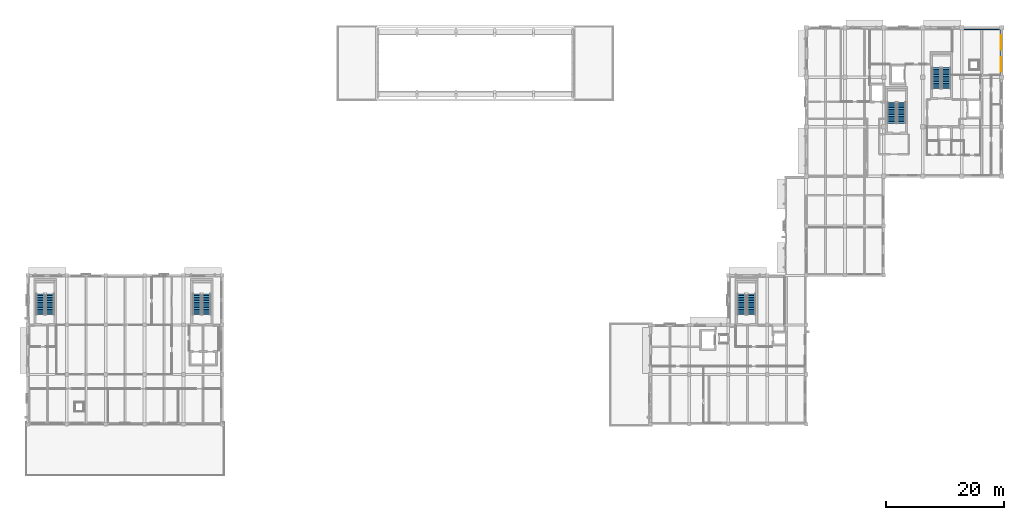
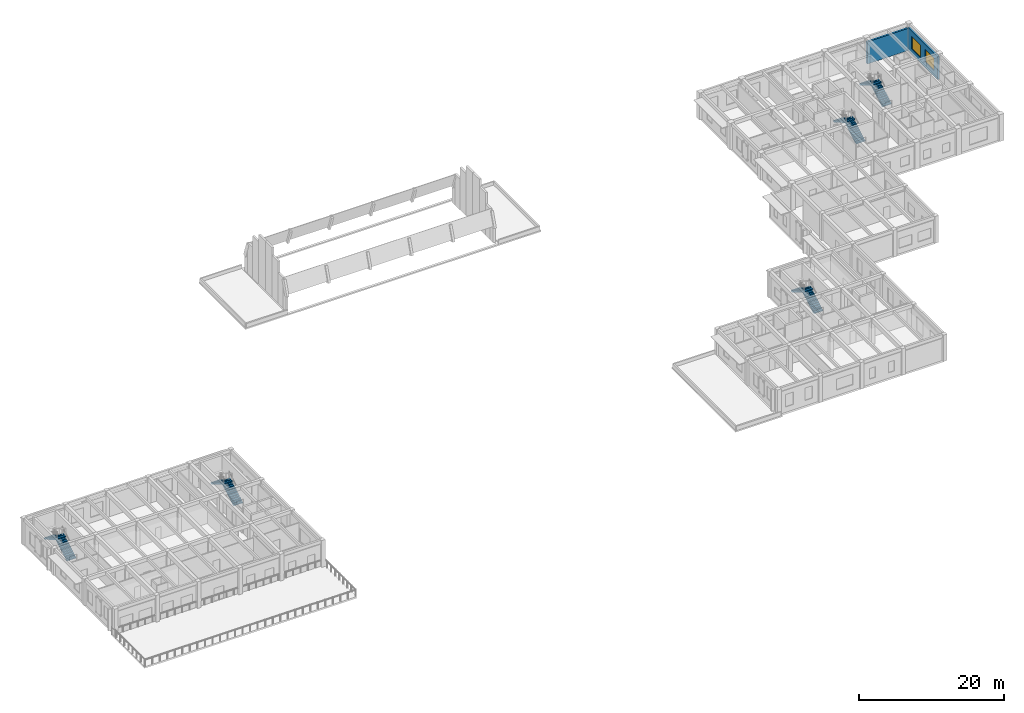
# One storey, part 15 of 25: 10 stair flights, 2 walls, 2 windows, 2 openings, 5 elements without a shape of their own.
"""IFC4 building model written with IfcOpenShell, lengths in metres."""

from ifc_helpers import new_model, si_unit, direction, frame, frame_2d, origin, place, context, subcontext, project, spatial, polyline, rectangle, outline, extrude, material, layer, layer_set, type_object, element, fill, aggregate, save


model = new_model("IFC4")

# Units and contexts
model_context = context("Model", 3, precision=1e-05, world=origin(), true_north=direction((0.0, 1.0)))
body_context = subcontext(model_context, "Body", "Model", "MODEL_VIEW")
ifc_project = project(units=[si_unit("LENGTHUNIT", "METRE"), si_unit("AREAUNIT", "SQUARE_METRE"), si_unit("VOLUMEUNIT", "CUBIC_METRE"), si_unit("PLANEANGLEUNIT", "RADIAN"), si_unit("MASSUNIT", "GRAM", prefix="KILO")], contexts=[model_context])

# Site, building, storey
site_placement = place(None, origin())
site = spatial("IfcSite", under=ifc_project, at=site_placement, CompositionType="ELEMENT")
building_placement = place(site_placement, origin())
building = spatial("IfcBuilding", under=site, at=building_placement, Name="Kolvaren Faculty of Natural Sciences", CompositionType="ELEMENT")
storey_placement = place(building_placement, frame((0.0, 0.0, 19.5)))
storey = spatial("IfcBuildingStorey", under=building, at=storey_placement, Name="L04", CompositionType="ELEMENT", Elevation=19.5)

# Wall
ifc_material_1 = material(Name="Sandstone-faced insulated cavity masonry", Category="masonry")
ifc_layer = layer(ifc_material_1, 0.300048828125)
ifc_layer_set = layer_set([ifc_layer], Name="Sandstone-faced insulated cavity masonry")
wall_type = type_object("IfcWallType", Name="ExteriorCavityWall_300", PredefinedType="STANDARD", material=ifc_layer_set)
wall_1_placement = place(storey_placement, frame((165.199951171875, 84.050048828125, 0.0), z_axis=(0.0, 0.0, 1.0), x_axis=(1.0, 0.0, 0.0)))
element("IfcWall", 1, at=wall_1_placement, inside=storey, type_object=wall_type, Name="L04 exterior masonry wall EW-300 (610)", PredefinedType="STANDARD", context=body_context, shape_type="SweptSolid", body=[
    extrude(rectangle(XDim=6.800048828125, YDim=0.300048828125, at=frame_2d((3.39990234375, 0.0))), origin(), (0.0, 0.0, 1.0), 3.735107421875),
])

# Wall, openings, windows
wall_2_placement = place(storey_placement, frame((171.85009765625, 83.89990234375, 0.0), z_axis=(0.0, 0.0, 1.0), x_axis=(0.0, -1.0, 0.0)))
wall_2 = element("IfcWall", 2, at=wall_2_placement, inside=storey, type_object=wall_type, Name="L04 exterior masonry wall EW-300 (611)", PredefinedType="STANDARD", context=body_context, shape_type="SweptSolid", body=[
    extrude(rectangle(XDim=8.099853515625, YDim=0.300048828125, at=frame_2d((4.0498046875, 0.0))), origin(), (0.0, 0.0, 1.0), 3.885009765625),
])
opening_1_placement = place(wall_2_placement, frame((0.987060546875, 0.0, 0.89990234375)))
opening_1 = element("IfcOpeningElement", 3, at=opening_1_placement, cuts=wall_2, Name="Opening WIN-09", PredefinedType="OPENING", context=body_context, shape_type="SweptSolid", body=[
    extrude(rectangle(XDim=2.39990234375, YDim=2.10009765625, at=frame_2d((1.199951171875, 1.050048828125))), frame((0.0, 0.159912109375, 0.0), z_axis=(0.0, -1.0, 0.0), x_axis=(1.0, 0.0, 0.0)), (0.0, 0.0, 1.0), 0.320068359375),
])
opening_2_placement = place(wall_2_placement, frame((4.712890625, 0.0, 0.89990234375)))
opening_2 = element("IfcOpeningElement", 4, at=opening_2_placement, cuts=wall_2, Name="Opening WIN-09", PredefinedType="OPENING", context=body_context, shape_type="SweptSolid", body=[
    extrude(rectangle(XDim=2.39990234375, YDim=2.10009765625, at=frame_2d((1.199951171875, 1.050048828125))), frame((0.0, 0.159912109375, 0.0), z_axis=(0.0, -1.0, 0.0), x_axis=(1.0, 0.0, 0.0)), (0.0, 0.0, 1.0), 0.320068359375),
])
ifc_material_2 = material(Name="Double low-E solar control insulated glazing", Category="glass")
window_type = type_object("IfcWindowType", Name="AluWindow_WIN09_2400x2100", PartitioningType="SINGLE_PANEL", PredefinedType="WINDOW", material=ifc_material_2)
window_1_placement = place(opening_1_placement, origin())
window_1 = element("IfcWindow", 5, at=window_1_placement, inside=storey, type_object=window_type, Name="WIN-L04-0400", OverallHeight=2.10009765625, OverallWidth=2.39990234375, PartitioningType="SINGLE_PANEL", PredefinedType="WINDOW", context=body_context, shape_type="SweptSolid", body=[
    extrude(rectangle(XDim=2.39990234375, YDim=2.10009765625, at=frame_2d((1.199951171875, 1.050048828125))), frame((0.0, 0.030029296875, 0.0), z_axis=(0.0, -1.0, 0.0), x_axis=(1.0, 0.0, 0.0)), (0.0, 0.0, 1.0), 0.06005859375),
])
fill(opening_1, window_1)
window_2_placement = place(opening_2_placement, origin())
window_2 = element("IfcWindow", 6, at=window_2_placement, inside=storey, type_object=window_type, Name="WIN-L04-0401", OverallHeight=2.10009765625, OverallWidth=2.39990234375, PartitioningType="SINGLE_PANEL", PredefinedType="WINDOW", context=body_context, shape_type="SweptSolid", body=[
    extrude(rectangle(XDim=2.39990234375, YDim=2.10009765625, at=frame_2d((1.199951171875, 1.050048828125))), frame((0.0, 0.030029296875, 0.0), z_axis=(0.0, -1.0, 0.0), x_axis=(1.0, 0.0, 0.0)), (0.0, 0.0, 1.0), 0.06005859375),
])
fill(opening_2, window_2)

# Stair, stair flights
ifc_material_3 = material(Name="Concrete C35/45", Category="concrete")
stair_type = type_object("IfcStairType", Name="DoglegStair_H4500", PredefinedType="HALF_TURN_STAIR", material=ifc_material_3)
stair_1_placement = place(storey_placement, origin())
stair_1 = element("IfcStair", 7, at=stair_1_placement, inside=storey, type_object=stair_type, Name="L04 Protected exit stair ST-1", PredefinedType="HALF_TURN_STAIR")
stair_flight_type = type_object("IfcStairFlightType", Name="StairFlight_R1731", PredefinedType="STRAIGHT", material=ifc_material_3)
stair_flight_1_placement = place(storey_placement, frame((162.574951171875, 73.89990234375, 0.0), z_axis=(0.0, 0.0, 1.0), x_axis=(0.0, 1.0, 0.0)))
stair_flight_1 = element("IfcStairFlight", 8, at=stair_flight_1_placement, type_object=stair_flight_type, Name="ST-1 flight 1", NumberOfRisers=13, NumberOfTreads=12, PredefinedType="STRAIGHT", RiserHeight=0.173076923, TreadLength=0.295, context=body_context, shape_type="SweptSolid", body=[
    extrude(outline(polyline([(0.0, 0.0), (0.0, 0.173095703125), (0.294921875, 0.173095703125), (0.294921875, 0.34619140625), (0.590087890625, 0.34619140625), (0.590087890625, 0.519287109375), (0.885009765625, 0.519287109375), (0.885009765625, 0.6923828125), (1.179931640625, 0.6923828125), (1.179931640625, 0.865478515625), (1.47509765625, 0.865478515625), (1.47509765625, 1.03857421875), (1.77001953125, 1.03857421875), (1.77001953125, 1.21142578125), (2.06494140625, 1.21142578125), (2.06494140625, 1.384521484375), (2.360107421875, 1.384521484375), (2.360107421875, 1.5576171875), (2.655029296875, 1.5576171875), (2.655029296875, 1.730712890625), (2.949951171875, 1.730712890625), (2.949951171875, 1.90380859375), (3.2451171875, 1.90380859375), (3.2451171875, 2.076904296875), (3.5400390625, 2.076904296875), (3.5400390625, 2.25), (3.5400390625, 1.903076171875), (0.296142578125, 0.0), (0.0, 0.0)])), frame((0.0, 0.72509765625, 0.0), z_axis=(0.0, -1.0, 0.0), x_axis=(1.0, 0.0, 0.0)), (0.0, 0.0, 1.0), 1.449951171875),
])
stair_flight_2_placement = place(storey_placement, frame((160.925048828125, 77.43994140625, 2.25), z_axis=(0.0, 0.0, 1.0), x_axis=(0.0, -1.0, 0.0)))
stair_flight_2 = element("IfcStairFlight", 9, at=stair_flight_2_placement, type_object=stair_flight_type, Name="ST-1 flight 2", NumberOfRisers=13, NumberOfTreads=12, PredefinedType="STRAIGHT", RiserHeight=0.173076923, TreadLength=0.295, context=body_context, shape_type="SweptSolid", body=[
    extrude(outline(polyline([(0.0, 0.0), (0.0, 0.173095703125), (0.294921875, 0.173095703125), (0.294921875, 0.34619140625), (0.590087890625, 0.34619140625), (0.590087890625, 0.519287109375), (0.885009765625, 0.519287109375), (0.885009765625, 0.6923828125), (1.179931640625, 0.6923828125), (1.179931640625, 0.865478515625), (1.47509765625, 0.865478515625), (1.47509765625, 1.03857421875), (1.77001953125, 1.03857421875), (1.77001953125, 1.21142578125), (2.06494140625, 1.21142578125), (2.06494140625, 1.384521484375), (2.360107421875, 1.384521484375), (2.360107421875, 1.5576171875), (2.655029296875, 1.5576171875), (2.655029296875, 1.730712890625), (2.949951171875, 1.730712890625), (2.949951171875, 1.90380859375), (3.2451171875, 1.90380859375), (3.2451171875, 2.076904296875), (3.5400390625, 2.076904296875), (3.5400390625, 2.25), (3.5400390625, 1.903076171875), (0.296142578125, 0.0), (0.0, 0.0)])), frame((0.0, 0.72509765625, 0.0), z_axis=(0.0, -1.0, 0.0), x_axis=(1.0, 0.0, 0.0)), (0.0, 0.0, 1.0), 1.449951171875),
])
aggregate(stair_1, [stair_flight_1, stair_flight_2])

stair_2_placement = place(storey_placement, origin())
stair_2 = element("IfcStair", 10, at=stair_2_placement, inside=storey, type_object=stair_type, Name="L04 Protected exit stair ST-2", PredefinedType="HALF_TURN_STAIR")
stair_flight_3_placement = place(storey_placement, frame((154.97509765625, 68.0, 0.0), z_axis=(0.0, 0.0, 1.0), x_axis=(0.0, 1.0, 0.0)))
stair_flight_3 = element("IfcStairFlight", 11, at=stair_flight_3_placement, type_object=stair_flight_type, Name="ST-2 flight 1", NumberOfRisers=13, NumberOfTreads=12, PredefinedType="STRAIGHT", RiserHeight=0.173076923, TreadLength=0.295, context=body_context, shape_type="SweptSolid", body=[
    extrude(outline(polyline([(0.0, 0.0), (0.0, 0.173095703125), (0.294921875, 0.173095703125), (0.294921875, 0.34619140625), (0.590087890625, 0.34619140625), (0.590087890625, 0.519287109375), (0.885009765625, 0.519287109375), (0.885009765625, 0.6923828125), (1.179931640625, 0.6923828125), (1.179931640625, 0.865478515625), (1.47509765625, 0.865478515625), (1.47509765625, 1.03857421875), (1.77001953125, 1.03857421875), (1.77001953125, 1.21142578125), (2.06494140625, 1.21142578125), (2.06494140625, 1.384521484375), (2.360107421875, 1.384521484375), (2.360107421875, 1.5576171875), (2.655029296875, 1.5576171875), (2.655029296875, 1.730712890625), (2.949951171875, 1.730712890625), (2.949951171875, 1.90380859375), (3.2451171875, 1.90380859375), (3.2451171875, 2.076904296875), (3.5400390625, 2.076904296875), (3.5400390625, 2.25), (3.5400390625, 1.903076171875), (0.296142578125, 0.0), (0.0, 0.0)])), frame((0.0, 0.72509765625, 0.0), z_axis=(0.0, -1.0, 0.0), x_axis=(1.0, 0.0, 0.0)), (0.0, 0.0, 1.0), 1.449951171875),
])
stair_flight_4_placement = place(storey_placement, frame((153.324951171875, 71.5400390625, 2.25), z_axis=(0.0, 0.0, 1.0), x_axis=(0.0, -1.0, 0.0)))
stair_flight_4 = element("IfcStairFlight", 12, at=stair_flight_4_placement, type_object=stair_flight_type, Name="ST-2 flight 2", NumberOfRisers=13, NumberOfTreads=12, PredefinedType="STRAIGHT", RiserHeight=0.173076923, TreadLength=0.295, context=body_context, shape_type="SweptSolid", body=[
    extrude(outline(polyline([(0.0, 0.0), (0.0, 0.173095703125), (0.294921875, 0.173095703125), (0.294921875, 0.34619140625), (0.590087890625, 0.34619140625), (0.590087890625, 0.519287109375), (0.885009765625, 0.519287109375), (0.885009765625, 0.6923828125), (1.179931640625, 0.6923828125), (1.179931640625, 0.865478515625), (1.47509765625, 0.865478515625), (1.47509765625, 1.03857421875), (1.77001953125, 1.03857421875), (1.77001953125, 1.21142578125), (2.06494140625, 1.21142578125), (2.06494140625, 1.384521484375), (2.360107421875, 1.384521484375), (2.360107421875, 1.5576171875), (2.655029296875, 1.5576171875), (2.655029296875, 1.730712890625), (2.949951171875, 1.730712890625), (2.949951171875, 1.90380859375), (3.2451171875, 1.90380859375), (3.2451171875, 2.076904296875), (3.5400390625, 2.076904296875), (3.5400390625, 2.25), (3.5400390625, 1.903076171875), (0.296142578125, 0.0), (0.0, 0.0)])), frame((0.0, 0.72509765625, 0.0), z_axis=(0.0, -1.0, 0.0), x_axis=(1.0, 0.0, 0.0)), (0.0, 0.0, 1.0), 1.449951171875),
])
aggregate(stair_2, [stair_flight_3, stair_flight_4])

stair_3_placement = place(storey_placement, origin())
stair_3 = element("IfcStair", 13, at=stair_3_placement, inside=storey, type_object=stair_type, Name="L04 Protected exit stair ST-3", PredefinedType="HALF_TURN_STAIR")
stair_flight_5_placement = place(storey_placement, frame((129.52490234375, 35.550048828125, 0.0), z_axis=(0.0, 0.0, 1.0), x_axis=(0.0, 1.0, 0.0)))
stair_flight_5 = element("IfcStairFlight", 14, at=stair_flight_5_placement, type_object=stair_flight_type, Name="ST-3 flight 1", NumberOfRisers=13, NumberOfTreads=12, PredefinedType="STRAIGHT", RiserHeight=0.173076923, TreadLength=0.295, context=body_context, shape_type="SweptSolid", body=[
    extrude(outline(polyline([(0.0, 0.0), (0.0, 0.173095703125), (0.294921875, 0.173095703125), (0.294921875, 0.34619140625), (0.590087890625, 0.34619140625), (0.590087890625, 0.519287109375), (0.885009765625, 0.519287109375), (0.885009765625, 0.6923828125), (1.179931640625, 0.6923828125), (1.179931640625, 0.865478515625), (1.47509765625, 0.865478515625), (1.47509765625, 1.03857421875), (1.77001953125, 1.03857421875), (1.77001953125, 1.21142578125), (2.06494140625, 1.21142578125), (2.06494140625, 1.384521484375), (2.360107421875, 1.384521484375), (2.360107421875, 1.5576171875), (2.655029296875, 1.5576171875), (2.655029296875, 1.730712890625), (2.949951171875, 1.730712890625), (2.949951171875, 1.90380859375), (3.2451171875, 1.90380859375), (3.2451171875, 2.076904296875), (3.5400390625, 2.076904296875), (3.5400390625, 2.25), (3.5400390625, 1.903076171875), (0.296142578125, 0.0), (0.0, 0.0)])), frame((0.0, 0.72509765625, 0.0), z_axis=(0.0, -1.0, 0.0), x_axis=(1.0, 0.0, 0.0)), (0.0, 0.0, 1.0), 1.449951171875),
])
stair_flight_6_placement = place(storey_placement, frame((127.875, 39.090087890625, 2.25), z_axis=(0.0, 0.0, 1.0), x_axis=(0.0, -1.0, 0.0)))
stair_flight_6 = element("IfcStairFlight", 15, at=stair_flight_6_placement, type_object=stair_flight_type, Name="ST-3 flight 2", NumberOfRisers=13, NumberOfTreads=12, PredefinedType="STRAIGHT", RiserHeight=0.173076923, TreadLength=0.295, context=body_context, shape_type="SweptSolid", body=[
    extrude(outline(polyline([(0.0, 0.0), (0.0, 0.173095703125), (0.294921875, 0.173095703125), (0.294921875, 0.34619140625), (0.590087890625, 0.34619140625), (0.590087890625, 0.519287109375), (0.885009765625, 0.519287109375), (0.885009765625, 0.6923828125), (1.179931640625, 0.6923828125), (1.179931640625, 0.865478515625), (1.47509765625, 0.865478515625), (1.47509765625, 1.03857421875), (1.77001953125, 1.03857421875), (1.77001953125, 1.21142578125), (2.06494140625, 1.21142578125), (2.06494140625, 1.384521484375), (2.360107421875, 1.384521484375), (2.360107421875, 1.5576171875), (2.655029296875, 1.5576171875), (2.655029296875, 1.730712890625), (2.949951171875, 1.730712890625), (2.949951171875, 1.90380859375), (3.2451171875, 1.90380859375), (3.2451171875, 2.076904296875), (3.5400390625, 2.076904296875), (3.5400390625, 2.25), (3.5400390625, 1.903076171875), (0.296142578125, 0.0), (0.0, 0.0)])), frame((0.0, 0.72509765625, 0.0), z_axis=(0.0, -1.0, 0.0), x_axis=(1.0, 0.0, 0.0)), (0.0, 0.0, 1.0), 1.449951171875),
])
aggregate(stair_3, [stair_flight_5, stair_flight_6])

stair_4_placement = place(storey_placement, origin())
stair_4 = element("IfcStair", 16, at=stair_4_placement, inside=storey, type_object=stair_type, Name="L04 Protected exit stair ST-4", PredefinedType="HALF_TURN_STAIR")
stair_flight_7_placement = place(storey_placement, frame((37.125, 35.550048828125, 0.0), z_axis=(0.0, 0.0, 1.0), x_axis=(0.0, 1.0, 0.0)))
stair_flight_7 = element("IfcStairFlight", 17, at=stair_flight_7_placement, type_object=stair_flight_type, Name="ST-4 flight 1", NumberOfRisers=13, NumberOfTreads=12, PredefinedType="STRAIGHT", RiserHeight=0.173076923, TreadLength=0.295, context=body_context, shape_type="SweptSolid", body=[
    extrude(outline(polyline([(0.0, 0.0), (0.0, 0.173095703125), (0.294921875, 0.173095703125), (0.294921875, 0.34619140625), (0.590087890625, 0.34619140625), (0.590087890625, 0.519287109375), (0.885009765625, 0.519287109375), (0.885009765625, 0.6923828125), (1.179931640625, 0.6923828125), (1.179931640625, 0.865478515625), (1.47509765625, 0.865478515625), (1.47509765625, 1.03857421875), (1.77001953125, 1.03857421875), (1.77001953125, 1.21142578125), (2.06494140625, 1.21142578125), (2.06494140625, 1.384521484375), (2.360107421875, 1.384521484375), (2.360107421875, 1.5576171875), (2.655029296875, 1.5576171875), (2.655029296875, 1.730712890625), (2.949951171875, 1.730712890625), (2.949951171875, 1.90380859375), (3.2451171875, 1.90380859375), (3.2451171875, 2.076904296875), (3.5400390625, 2.076904296875), (3.5400390625, 2.25), (3.5400390625, 1.903076171875), (0.296142578125, 0.0), (0.0, 0.0)])), frame((0.0, 0.72509765625, 0.0), z_axis=(0.0, -1.0, 0.0), x_axis=(1.0, 0.0, 0.0)), (0.0, 0.0, 1.0), 1.449951171875),
])
stair_flight_8_placement = place(storey_placement, frame((35.47509765625, 39.090087890625, 2.25), z_axis=(0.0, 0.0, 1.0), x_axis=(0.0, -1.0, 0.0)))
stair_flight_8 = element("IfcStairFlight", 18, at=stair_flight_8_placement, type_object=stair_flight_type, Name="ST-4 flight 2", NumberOfRisers=13, NumberOfTreads=12, PredefinedType="STRAIGHT", RiserHeight=0.173076923, TreadLength=0.295, context=body_context, shape_type="SweptSolid", body=[
    extrude(outline(polyline([(0.0, 0.0), (0.0, 0.173095703125), (0.294921875, 0.173095703125), (0.294921875, 0.34619140625), (0.590087890625, 0.34619140625), (0.590087890625, 0.519287109375), (0.885009765625, 0.519287109375), (0.885009765625, 0.6923828125), (1.179931640625, 0.6923828125), (1.179931640625, 0.865478515625), (1.47509765625, 0.865478515625), (1.47509765625, 1.03857421875), (1.77001953125, 1.03857421875), (1.77001953125, 1.21142578125), (2.06494140625, 1.21142578125), (2.06494140625, 1.384521484375), (2.360107421875, 1.384521484375), (2.360107421875, 1.5576171875), (2.655029296875, 1.5576171875), (2.655029296875, 1.730712890625), (2.949951171875, 1.730712890625), (2.949951171875, 1.90380859375), (3.2451171875, 1.90380859375), (3.2451171875, 2.076904296875), (3.5400390625, 2.076904296875), (3.5400390625, 2.25), (3.5400390625, 1.903076171875), (0.296142578125, 0.0), (0.0, 0.0)])), frame((0.0, 0.72509765625, 0.0), z_axis=(0.0, -1.0, 0.0), x_axis=(1.0, 0.0, 0.0)), (0.0, 0.0, 1.0), 1.449951171875),
])
aggregate(stair_4, [stair_flight_7, stair_flight_8])

stair_5_placement = place(storey_placement, origin())
stair_5 = element("IfcStair", 19, at=stair_5_placement, inside=storey, type_object=stair_type, Name="L04 Protected exit stair ST-8", PredefinedType="HALF_TURN_STAIR")
stair_flight_9_placement = place(storey_placement, frame((10.574951171875, 35.550048828125, 0.0), z_axis=(0.0, 0.0, 1.0), x_axis=(0.0, 1.0, 0.0)))
stair_flight_9 = element("IfcStairFlight", 20, at=stair_flight_9_placement, type_object=stair_flight_type, Name="ST-8 flight 1", NumberOfRisers=13, NumberOfTreads=12, PredefinedType="STRAIGHT", RiserHeight=0.173076923, TreadLength=0.295, context=body_context, shape_type="SweptSolid", body=[
    extrude(outline(polyline([(0.0, 0.0), (0.0, 0.173095703125), (0.294921875, 0.173095703125), (0.294921875, 0.34619140625), (0.590087890625, 0.34619140625), (0.590087890625, 0.519287109375), (0.885009765625, 0.519287109375), (0.885009765625, 0.6923828125), (1.179931640625, 0.6923828125), (1.179931640625, 0.865478515625), (1.47509765625, 0.865478515625), (1.47509765625, 1.03857421875), (1.77001953125, 1.03857421875), (1.77001953125, 1.21142578125), (2.06494140625, 1.21142578125), (2.06494140625, 1.384521484375), (2.360107421875, 1.384521484375), (2.360107421875, 1.5576171875), (2.655029296875, 1.5576171875), (2.655029296875, 1.730712890625), (2.949951171875, 1.730712890625), (2.949951171875, 1.90380859375), (3.2451171875, 1.90380859375), (3.2451171875, 2.076904296875), (3.5400390625, 2.076904296875), (3.5400390625, 2.25), (3.5400390625, 1.903076171875), (0.296142578125, 0.0), (0.0, 0.0)])), frame((0.0, 0.72509765625, 0.0), z_axis=(0.0, -1.0, 0.0), x_axis=(1.0, 0.0, 0.0)), (0.0, 0.0, 1.0), 1.449951171875),
])
stair_flight_10_placement = place(storey_placement, frame((8.925048828125, 39.090087890625, 2.25), z_axis=(0.0, 0.0, 1.0), x_axis=(0.0, -1.0, 0.0)))
stair_flight_10 = element("IfcStairFlight", 21, at=stair_flight_10_placement, type_object=stair_flight_type, Name="ST-8 flight 2", NumberOfRisers=13, NumberOfTreads=12, PredefinedType="STRAIGHT", RiserHeight=0.173076923, TreadLength=0.295, context=body_context, shape_type="SweptSolid", body=[
    extrude(outline(polyline([(0.0, 0.0), (0.0, 0.173095703125), (0.294921875, 0.173095703125), (0.294921875, 0.34619140625), (0.590087890625, 0.34619140625), (0.590087890625, 0.519287109375), (0.885009765625, 0.519287109375), (0.885009765625, 0.6923828125), (1.179931640625, 0.6923828125), (1.179931640625, 0.865478515625), (1.47509765625, 0.865478515625), (1.47509765625, 1.03857421875), (1.77001953125, 1.03857421875), (1.77001953125, 1.21142578125), (2.06494140625, 1.21142578125), (2.06494140625, 1.384521484375), (2.360107421875, 1.384521484375), (2.360107421875, 1.5576171875), (2.655029296875, 1.5576171875), (2.655029296875, 1.730712890625), (2.949951171875, 1.730712890625), (2.949951171875, 1.90380859375), (3.2451171875, 1.90380859375), (3.2451171875, 2.076904296875), (3.5400390625, 2.076904296875), (3.5400390625, 2.25), (3.5400390625, 1.903076171875), (0.296142578125, 0.0), (0.0, 0.0)])), frame((0.0, 0.72509765625, 0.0), z_axis=(0.0, -1.0, 0.0), x_axis=(1.0, 0.0, 0.0)), (0.0, 0.0, 1.0), 1.449951171875),
])
aggregate(stair_5, [stair_flight_9, stair_flight_10])

save(model, "model.ifc")
